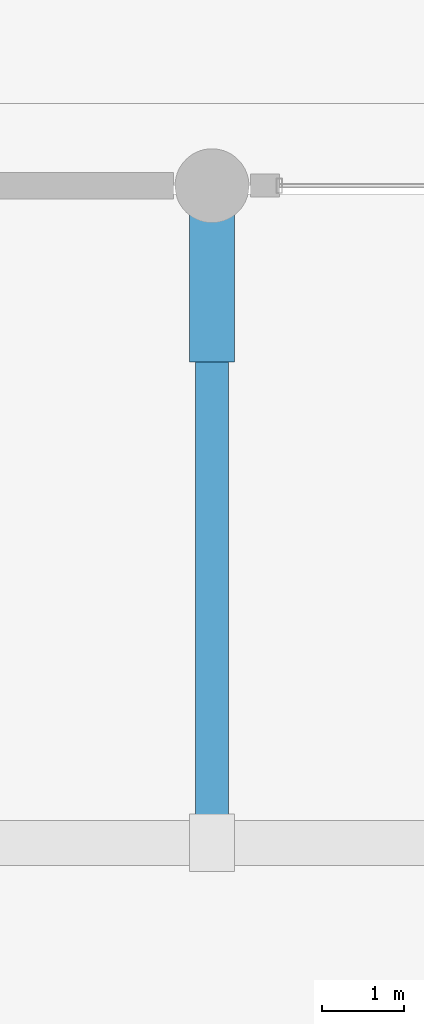
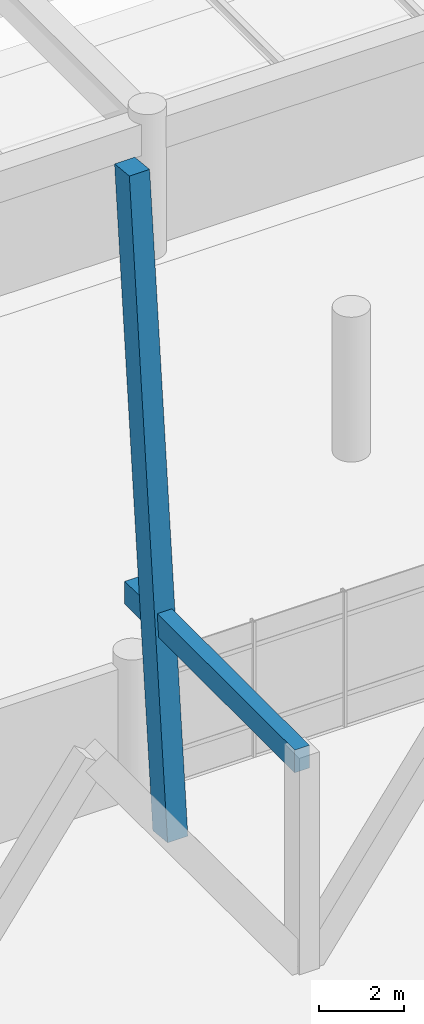
# One storey, part 17 of 109: 1 beam, 1 member.
"""IFC4 building model written with IfcOpenShell, lengths in metres."""

import ifcopenshell
import ifcopenshell.guid

model = None  # the IFC model being written
_history = None  # IfcOwnerHistory: only IFC2X3 demands one
_inside = {}  # id of a spatial element -> (the spatial element, [elements in it])
_under = {}  # id of a project, library or spatial element -> (it, [spatial elements below it])
_declared = {}  # id of a project -> (the project, [libraries it declares])
_typed = {}  # id of a type object -> (the type object, [elements of that type])
_made_of = {}  # id of a material, layer set ... -> (it, [elements and type objects made of it])


def new_model(schema):
    """Start an empty IFC model of exactly this schema.

    Asked for "IFC4X3", IfcOpenShell would pick the latest addendum, in which some entities
    have other attributes; the version numbers below select the first issue.
    IFC2X3 requires an IfcOwnerHistory on every rooted entity: one is made here for all.
    """
    global model, _history
    if schema == "IFC4X3":
        model = ifcopenshell.file(schema_version=(4, 3, 0, 0))
    else:
        model = ifcopenshell.file(schema=schema)
    _inside.clear()
    _under.clear()
    _declared.clear()
    _typed.clear()
    _made_of.clear()
    _history = None
    if model.schema == "IFC2X3":
        org = make("IfcOrganization", Name="unknown")
        user = make(
            "IfcPersonAndOrganization",
            ThePerson=make("IfcPerson", FamilyName="unknown"),
            TheOrganization=org,
        )
        app = make(
            "IfcApplication",
            ApplicationDeveloper=org,
            Version="unknown",
            ApplicationFullName="unknown",
            ApplicationIdentifier="unknown",
        )
        _history = make(
            "IfcOwnerHistory",
            OwningUser=user,
            OwningApplication=app,
            ChangeAction="ADDED",
            CreationDate=0,
        )
    return model


def make(cls, **values):
    """One entity of the class cls with the attributes given. An attribute that is None is left unset."""
    return model.create_entity(
        cls, **{name: value for name, value in values.items() if value is not None}
    )


def rooted(cls, **values):
    """An entity with a GlobalId (a new one), such as an element, a storey or a relation."""
    return make(cls, GlobalId=ifcopenshell.guid.new(), OwnerHistory=_history, **values)


def si_unit(unit_type, name, prefix=None):
    """IfcSIUnit, for example si_unit("LENGTHUNIT", "METRE", prefix="MILLI")."""
    return make("IfcSIUnit", UnitType=unit_type, Prefix=prefix, Name=name)


def assignment(units):
    """IfcUnitAssignment: the units of a project."""
    return None if units is None else make("IfcUnitAssignment", Units=units)


def point(xyz):
    """IfcCartesianPoint."""
    return None if xyz is None else make("IfcCartesianPoint", Coordinates=xyz)


def direction(xyz):
    """IfcDirection."""
    return None if xyz is None else make("IfcDirection", DirectionRatios=xyz)


def frame(location, z_axis=None, x_axis=None):
    """IfcAxis2Placement3D, a coordinate frame: its origin and axes. An axis left out is left unset."""
    return make(
        "IfcAxis2Placement3D",
        Location=point(location),
        Axis=direction(z_axis),
        RefDirection=direction(x_axis),
    )


def frame_2d(location, x_axis=None):
    """IfcAxis2Placement2D, a coordinate frame in the plane: its origin and x axis."""
    return make(
        "IfcAxis2Placement2D", Location=point(location), RefDirection=direction(x_axis)
    )


def origin():
    """The frame at (0, 0, 0) with its axes left unset."""
    return frame((0.0, 0.0, 0.0))


def origin_2d():
    """The frame at (0, 0) in the plane with its x axis left unset."""
    return frame_2d((0.0, 0.0))


def place(relative_to, where):
    """IfcLocalPlacement: puts the frame where relative to a parent placement (None: the world)."""
    return make(
        "IfcLocalPlacement", PlacementRelTo=relative_to, RelativePlacement=where
    )


def context(
    kind, dimensions, precision=None, world=None, true_north=None, identifier=None
):
    """IfcGeometricRepresentationContext, for example the 3D "Model" context."""
    return make(
        "IfcGeometricRepresentationContext",
        ContextIdentifier=identifier,
        ContextType=kind,
        CoordinateSpaceDimension=dimensions,
        Precision=precision,
        WorldCoordinateSystem=world,
        TrueNorth=true_north,
    )


def subcontext(parent, identifier, kind, view, scale=None):
    """IfcGeometricRepresentationSubContext, for example "Body" below "Model"."""
    return make(
        "IfcGeometricRepresentationSubContext",
        ContextIdentifier=identifier,
        ContextType=kind,
        ParentContext=parent,
        TargetScale=scale,
        TargetView=view,
    )


def project(units=None, contexts=None):
    """IfcProject with its units and contexts."""
    return rooted(
        "IfcProject",
        Name="project",
        RepresentationContexts=contexts,
        UnitsInContext=assignment(units),
    )


def spatial(cls, under=None, at=None, **own):
    """A site, building, storey or space (cls), placed at a placement, below another one or the project."""
    s = rooted(cls, ObjectPlacement=at, **own)
    if under is not None:
        _under.setdefault(under.id(), (under, []))[1].append(s)
    return s


def profile(cls, at=None, kind="AREA", **sizes):
    """A parametric profile (cls). Its sizes go by their IFC names, for example OverallWidth=200.0."""
    return make(cls, ProfileType=kind, Position=at, **sizes)


def rectangle(**sizes):
    """IfcRectangleProfileDef."""
    return profile("IfcRectangleProfileDef", **sizes)


def extrude(swept, where, along, depth):
    """IfcExtrudedAreaSolid: the profile swept, set in the frame where, extruded along a direction by depth."""
    return make(
        "IfcExtrudedAreaSolid",
        SweptArea=swept,
        Position=where,
        ExtrudedDirection=direction(along),
        Depth=depth,
    )


def shape(context_of_items, identifier, shape_type, items):
    """IfcShapeRepresentation: the items that make up one representation, for example the "Body"."""
    return make(
        "IfcShapeRepresentation",
        ContextOfItems=context_of_items,
        RepresentationIdentifier=identifier,
        RepresentationType=shape_type,
        Items=items,
    )


def material(Name=None, Category=None):
    """IfcMaterial."""
    return make("IfcMaterial", Name=Name, Category=Category)


def material_profile(
    of_material, cross_section, Name=None, Category=None, Priority=None
):
    """IfcMaterialProfile: a cross section and its material."""
    return make(
        "IfcMaterialProfile",
        Name=Name,
        Material=of_material,
        Profile=cross_section,
        Priority=Priority,
        Category=Category,
    )


def profile_set(profiles, Name=None, composite=None):
    """IfcMaterialProfileSet."""
    return make(
        "IfcMaterialProfileSet",
        Name=Name,
        MaterialProfiles=profiles,
        CompositeProfile=composite,
    )


def made_of(thing, what):
    """Note that an element or type object is made of a material, layer set ...; save() writes the relation."""
    if what is not None:
        _made_of.setdefault(what.id(), (what, []))[1].append(thing)
    return thing


def type_object(cls, material=None, **own):
    """A type object (cls), such as IfcWallType, which elements share."""
    return made_of(rooted(cls, **own), material)


def element(
    cls,
    number,
    at=None,
    inside=None,
    cuts=None,
    type_object=None,
    material=None,
    context=None,
    identifier="Body",
    shape_type=None,
    held_by="IfcProductDefinitionShape",
    body=None,
    shapes=None,
    **own,
):
    """One element of the class cls, such as IfcWall. Its Tag is "e" and its number.

    at: its placement. inside: the storey or other place that contains it. cuts: it is an
    opening in that element (IfcRelVoidsElement). A single representation is given by context,
    identifier, shape_type and body (its items); several are given by shapes. held_by: the class
    of the entity that holds the representations. save() writes the other relations.
    """
    e = rooted(cls, Tag="e%d" % number, ObjectPlacement=at, **own)
    if body is not None:
        shapes = [shape(context, identifier, shape_type, body)]
    if shapes is not None:
        e.Representation = make(held_by, Representations=shapes)
    if inside is not None:
        _inside.setdefault(inside.id(), (inside, []))[1].append(e)
    if cuts is not None:
        rooted(
            "IfcRelVoidsElement", RelatingBuildingElement=cuts, RelatedOpeningElement=e
        )
    if type_object is not None:
        _typed.setdefault(type_object.id(), (type_object, []))[1].append(e)
    return made_of(e, material)


def aggregate(whole, parts):
    """IfcRelAggregates: a whole, such as a stair, and the parts it consists of."""
    return rooted("IfcRelAggregates", RelatingObject=whole, RelatedObjects=parts)


def save(model, path):
    """Write the relations noted so far, then the file.

    IfcRelAggregates (storeys below a building ...), IfcRelContainedInSpatialStructure (elements
    in a storey), IfcRelDefinesByType, IfcRelAssociatesMaterial and IfcRelDeclares: one each for
    every whole, place, type object, material and project.
    """
    for whole, parts in _under.values():
        aggregate(whole, parts)
    for where, things in _inside.values():
        rooted(
            "IfcRelContainedInSpatialStructure",
            RelatedElements=things,
            RelatingStructure=where,
        )
    for kind, things in _typed.values():
        rooted("IfcRelDefinesByType", RelatedObjects=things, RelatingType=kind)
    for what, things in _made_of.values():
        rooted("IfcRelAssociatesMaterial", RelatedObjects=things, RelatingMaterial=what)
    for by, libraries in _declared.values():
        rooted("IfcRelDeclares", RelatingContext=by, RelatedDefinitions=libraries)
    model.write(path)


model = new_model("IFC4")

# Units and contexts
model_context = context("Model", 3, precision=1e-05, world=origin(), true_north=direction((0.0, 1.0)))
body_context = subcontext(model_context, "Body", "Model", "MODEL_VIEW")
ifc_project = project(units=[si_unit("LENGTHUNIT", "METRE"), si_unit("AREAUNIT", "SQUARE_METRE"), si_unit("VOLUMEUNIT", "CUBIC_METRE"), si_unit("PLANEANGLEUNIT", "RADIAN"), si_unit("MASSUNIT", "GRAM", prefix="KILO")], contexts=[model_context])

# Site, building, storey
site_placement = place(None, origin())
site = spatial("IfcSite", under=ifc_project, at=site_placement, CompositionType="ELEMENT")
building_placement = place(site_placement, origin())
building = spatial("IfcBuilding", under=site, at=building_placement, Name="Ologun Quay Terminus", CompositionType="ELEMENT")
storey_placement = place(building_placement, origin())
storey = spatial("IfcBuildingStorey", under=building, at=storey_placement, Name="L00", CompositionType="ELEMENT", Elevation=0.0)

# Member
ifc_material_1 = material(Name="Concrete C45/55", Category="concrete")
ifc_material_profile_1 = material_profile(ifc_material_1, rectangle(XDim=0.550048828125, YDim=0.699951171875, at=origin_2d()), Name="RC 550x700")
ifc_profile_set_1 = profile_set([ifc_material_profile_1], Name="Concrete C45/55")
member_type = type_object("IfcMemberType", Name="Folded Canopy Concrete V-Strut 550x700", PredefinedType="STRUT", material=ifc_profile_set_1)
member_placement = place(storey_placement, frame((92.0, 6.199951171875, 0.0), z_axis=(0.0, 0.099178744049, 0.995069634111), x_axis=(-1.0, 0.0, 0.0)))
element("IfcMember", 1, at=member_placement, inside=storey, type_object=member_type, Name="VS2 Raked Concrete Portal Rib 9/B", PredefinedType="STRUT", context=body_context, shape_type="SweptSolid", body=[
    extrude(rectangle(XDim=0.550048828125, YDim=0.699951171875, at=origin_2d()), origin(), (0.0, 0.0, 1.0), 18.149658203125),
])

# Beam
ifc_material_2 = material(Name="Concrete C40/50", Category="concrete")
ifc_material_profile_2 = material_profile(ifc_material_2, rectangle(XDim=0.39990234375, YDim=0.64990234375, at=origin_2d()), Name="RC 400x650")
ifc_profile_set_2 = profile_set([ifc_material_profile_2], Name="Concrete C40/50")
beam_type = type_object("IfcBeamType", Name="Station Secondary Joist 400x650", PredefinedType="JOIST", material=ifc_profile_set_2)
beam_placement = place(storey_placement, frame((92.0, 0.0, 5.89501953125), z_axis=(0.0, 1.0, 0.0), x_axis=(-1.0, 0.0, 0.0)))
element("IfcBeam", 2, at=beam_placement, inside=storey, type_object=beam_type, Name="J1 Beam 9/A L00", PredefinedType="JOIST", context=body_context, shape_type="SweptSolid", body=[
    extrude(rectangle(XDim=0.39990234375, YDim=0.64990234375, at=origin_2d()), origin(), (0.0, 0.0, 1.0), 8.0),
])

save(model, "model.ifc")
